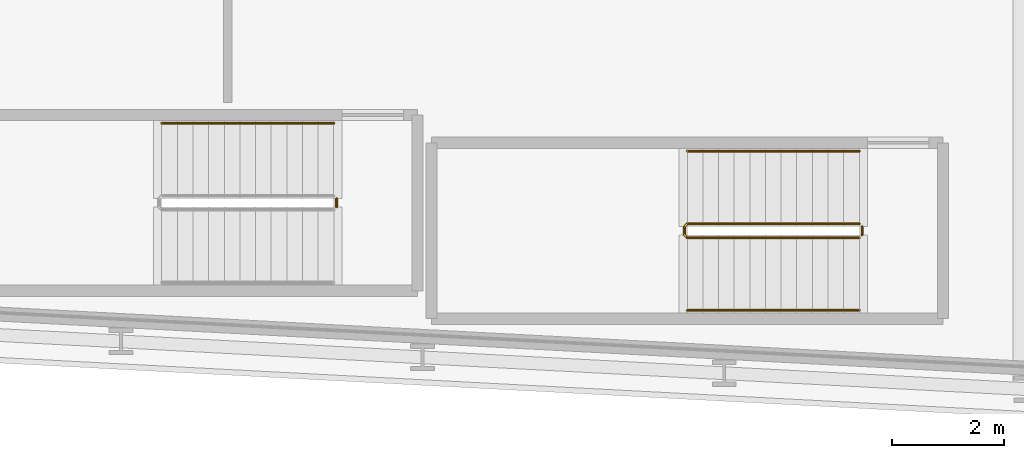
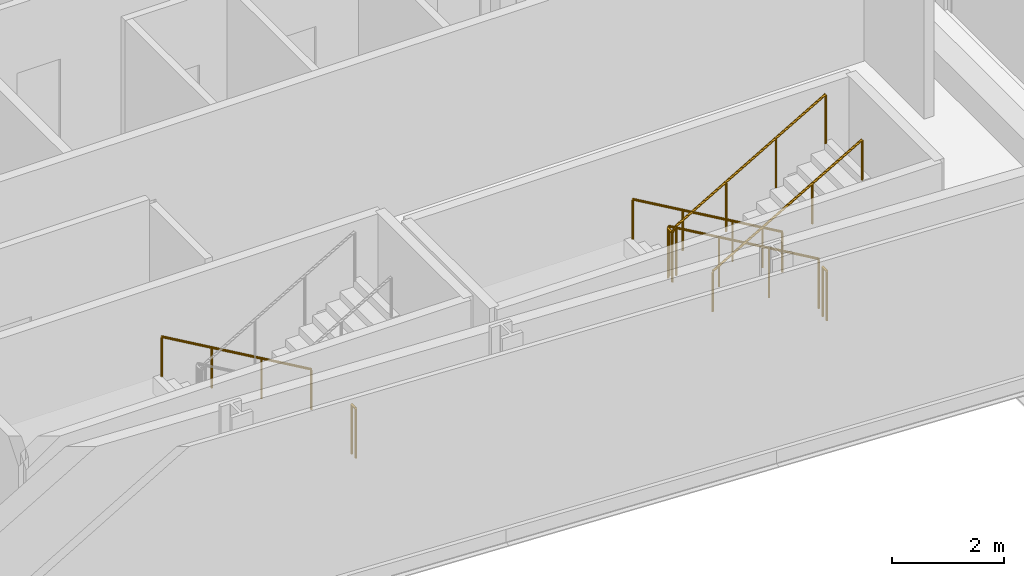
# One storey, part 24 of 27: 6 railings.
"""IFC4 building model written with IfcOpenShell, lengths in metres."""

from ifc_helpers import new_model, si_unit, direction, frame, origin, origin_2d, place, context, subcontext, project, spatial, circle, extrude, material, type_object, element, save


model = new_model("IFC4")

# Units and contexts
model_context = context("Model", 3, precision=1e-05, world=origin(), true_north=direction((0.0, 1.0)))
body_context = subcontext(model_context, "Body", "Model", "MODEL_VIEW")
ifc_project = project(units=[si_unit("LENGTHUNIT", "METRE"), si_unit("AREAUNIT", "SQUARE_METRE"), si_unit("VOLUMEUNIT", "CUBIC_METRE"), si_unit("PLANEANGLEUNIT", "RADIAN"), si_unit("MASSUNIT", "GRAM", prefix="KILO")], contexts=[model_context])

# Site, building, storey
site_placement = place(None, origin())
site = spatial("IfcSite", under=ifc_project, at=site_placement, CompositionType="ELEMENT")
building_placement = place(site_placement, origin())
building = spatial("IfcBuilding", under=site, at=building_placement, Name="Kheshtan School and Residences Tower", CompositionType="ELEMENT")
storey_placement = place(building_placement, frame((0.0, 0.0, 46.10009765625)))
storey = spatial("IfcBuildingStorey", under=building, at=storey_placement, Name="L10", CompositionType="ELEMENT", Elevation=46.10009765625)

# Railings
ifc_material_1 = material(Name="Stainless steel balustrade", Category="steel")
railing_type_1 = type_object("IfcRailingType", Name="Stair guard 1100", PredefinedType="GUARDRAIL", material=ifc_material_1)
railing_1_placement = place(storey_placement, frame((87.820068359375, 23.949951171875, 0.162353515625)))
element("IfcRailing", 1, at=railing_1_placement, inside=storey, type_object=railing_type_1, Name="L10 ST4 stair guard 1", PredefinedType="GUARDRAIL", context=body_context, shape_type="SweptSolid", body=[
    extrude(circle(Radius=0.02392578125, at=origin_2d()), frame((0.0, 0.0, 1.076171875), z_axis=(-0.864890721111, 0.0, 0.501960198159), x_axis=(0.0, -1.0, 0.0)), (0.0, 0.0, 1.0), 3.561279296875),
    extrude(circle(Radius=0.02392578125, at=origin_2d()), frame((-3.080078125, 0.0, 2.86376953125), z_axis=(-0.707106781187, -0.707106781187, 0.0), x_axis=(0.707106781187, -0.707106781187, 0.0)), (0.0, 0.0, 1.0), 0.07080078125),
    extrude(circle(Radius=0.02392578125, at=origin_2d()), frame((-3.130126953125, -0.050048828125, 2.86376953125), z_axis=(0.0, -1.0, 0.0), x_axis=(1.0, 0.0, 0.0)), (0.0, 0.0, 1.0), 0.14990234375),
    extrude(circle(Radius=0.02392578125, at=origin_2d()), frame((-3.130126953125, -0.199951171875, 2.86376953125), z_axis=(0.282583949758, -0.282583949758, 0.916674763849), x_axis=(0.707106781187, 0.707106781187, 0.0)), (0.0, 0.0, 1.0), 0.177001953125),
    extrude(circle(Radius=0.02392578125, at=origin_2d()), frame((-3.080078125, -0.25, 3.02587890625), z_axis=(0.864890721111, 0.0, 0.501960198159), x_axis=(0.0, 1.0, 0.0)), (0.0, 0.0, 1.0), 3.561279296875),
    extrude(circle(Radius=0.02099609375, at=origin_2d()), origin(), (0.0, 0.0, 1.0), 1.052001953125),
    extrude(circle(Radius=0.02099609375, at=origin_2d()), frame((-1.026611328125, 0.0, 0.595947265625)), (0.0, 0.0, 1.0), 1.052001953125),
    extrude(circle(Radius=0.02099609375, at=origin_2d()), frame((-2.053466796875, 0.0, 1.191650390625)), (0.0, 0.0, 1.0), 1.052001953125),
    extrude(circle(Radius=0.02099609375, at=origin_2d()), frame((-3.080078125, 0.0, 1.78759765625)), (0.0, 0.0, 1.0), 1.052001953125),
    extrude(circle(Radius=0.02099609375, at=origin_2d()), frame((-3.130126953125, -0.050048828125, 1.78759765625)), (0.0, 0.0, 1.0), 1.052001953125),
    extrude(circle(Radius=0.02099609375, at=origin_2d()), frame((-3.130126953125, -0.199951171875, 1.78759765625)), (0.0, 0.0, 1.0), 1.052001953125),
    extrude(circle(Radius=0.02099609375, at=origin_2d()), frame((-3.080078125, -0.25, 1.949951171875)), (0.0, 0.0, 1.0), 1.052001953125),
    extrude(circle(Radius=0.02099609375, at=origin_2d()), frame((-2.053466796875, -0.25, 2.5458984375)), (0.0, 0.0, 1.0), 1.052001953125),
    extrude(circle(Radius=0.02099609375, at=origin_2d()), frame((-1.026611328125, -0.25, 3.1416015625)), (0.0, 0.0, 1.0), 1.052001953125),
    extrude(circle(Radius=0.02099609375, at=origin_2d()), frame((0.0, -0.25, 3.737548828125)), (0.0, 0.0, 1.0), 1.052001953125),
])
for number, where, name in (
    (2, (87.8701171875, 23.89990234375, 0.0), "L10 ST4 stair guard 2"),
    (3, (78.4599609375, 24.39990234375, 0.0), "L10 ST5 stair guard 2"),
):
    element("IfcRailing", number, at=place(storey_placement, frame(where)), inside=storey, type_object=railing_type_1, Name=name, PredefinedType="GUARDRAIL", context=body_context, shape_type="SweptSolid", body=[
        extrude(circle(Radius=0.02392578125, at=origin_2d()), frame((0.0, 0.0, 1.076171875), z_axis=(0.0, -1.0, 0.0), x_axis=(1.0, 0.0, 0.0)), (0.0, 0.0, 1.0), 0.14990234375),
        extrude(circle(Radius=0.02099609375, at=origin_2d()), origin(), (0.0, 0.0, 1.0), 1.052001953125),
        extrude(circle(Radius=0.02099609375, at=origin_2d()), frame((0.0, -0.14990234375, 0.0)), (0.0, 0.0, 1.0), 1.052001953125),
    ])
ifc_material_2 = material(Name="Stainless steel handrail", Category="steel")
railing_type_2 = type_object("IfcRailingType", Name="Stair handrail 900", PredefinedType="HANDRAIL", material=ifc_material_2)
railing_2_placement = place(storey_placement, frame((87.820068359375, 25.25, 0.162353515625)))
element("IfcRailing", 4, at=railing_2_placement, inside=storey, type_object=railing_type_2, Name="L10 ST4 stair handrail 1", PredefinedType="HANDRAIL", context=body_context, shape_type="SweptSolid", body=[
    extrude(circle(Radius=0.02392578125, at=origin_2d()), frame((0.0, 0.0, 0.8759765625), z_axis=(-0.864890721111, 0.0, 0.501960198159), x_axis=(0.0, -1.0, 0.0)), (0.0, 0.0, 1.0), 3.561279296875),
    extrude(circle(Radius=0.02099609375, at=origin_2d()), origin(), (0.0, 0.0, 1.0), 0.851806640625),
    extrude(circle(Radius=0.02099609375, at=origin_2d()), frame((-1.026611328125, 0.0, 0.595947265625)), (0.0, 0.0, 1.0), 0.851806640625),
    extrude(circle(Radius=0.02099609375, at=origin_2d()), frame((-2.053466796875, 0.0, 1.191650390625)), (0.0, 0.0, 1.0), 0.851806640625),
    extrude(circle(Radius=0.02099609375, at=origin_2d()), frame((-3.080078125, 0.0, 1.78759765625)), (0.0, 0.0, 1.0), 0.851806640625),
])
railing_3_placement = place(storey_placement, frame((84.739990234375, 22.39990234375, 2.1123046875)))
element("IfcRailing", 5, at=railing_3_placement, inside=storey, type_object=railing_type_2, Name="L10 ST4 stair handrail 2", PredefinedType="HANDRAIL", context=body_context, shape_type="SweptSolid", body=[
    extrude(circle(Radius=0.02392578125, at=origin_2d()), frame((0.0, 0.0, 0.8759765625), z_axis=(0.864890721111, 0.0, 0.501960198159), x_axis=(0.0, 1.0, 0.0)), (0.0, 0.0, 1.0), 3.561279296875),
    extrude(circle(Radius=0.02099609375, at=origin_2d()), origin(), (0.0, 0.0, 1.0), 0.851806640625),
    extrude(circle(Radius=0.02099609375, at=origin_2d()), frame((1.026611328125, 0.0, 0.595947265625)), (0.0, 0.0, 1.0), 0.851806640625),
    extrude(circle(Radius=0.02099609375, at=origin_2d()), frame((2.053466796875, 0.0, 1.191650390625)), (0.0, 0.0, 1.0), 0.851806640625),
    extrude(circle(Radius=0.02099609375, at=origin_2d()), frame((3.080078125, 0.0, 1.78759765625)), (0.0, 0.0, 1.0), 0.851806640625),
])
railing_4_placement = place(storey_placement, frame((78.409912109375, 25.75, 0.162353515625)))
element("IfcRailing", 6, at=railing_4_placement, inside=storey, type_object=railing_type_2, Name="L10 ST5 stair handrail 1", PredefinedType="HANDRAIL", context=body_context, shape_type="SweptSolid", body=[
    extrude(circle(Radius=0.02392578125, at=origin_2d()), frame((0.0, 0.0, 0.8759765625), z_axis=(-0.864873446163, 0.0, 0.501989962173), x_axis=(0.0, -1.0, 0.0)), (0.0, 0.0, 1.0), 3.56103515625),
    extrude(circle(Radius=0.02099609375, at=origin_2d()), origin(), (0.0, 0.0, 1.0), 0.851806640625),
    extrude(circle(Radius=0.02099609375, at=origin_2d()), frame((-1.026611328125, 0.0, 0.595947265625)), (0.0, 0.0, 1.0), 0.851806640625),
    extrude(circle(Radius=0.02099609375, at=origin_2d()), frame((-2.05322265625, 0.0, 1.191650390625)), (0.0, 0.0, 1.0), 0.851806640625),
    extrude(circle(Radius=0.02099609375, at=origin_2d()), frame((-3.079833984375, 0.0, 1.78759765625)), (0.0, 0.0, 1.0), 0.851806640625),
])

save(model, "model.ifc")
